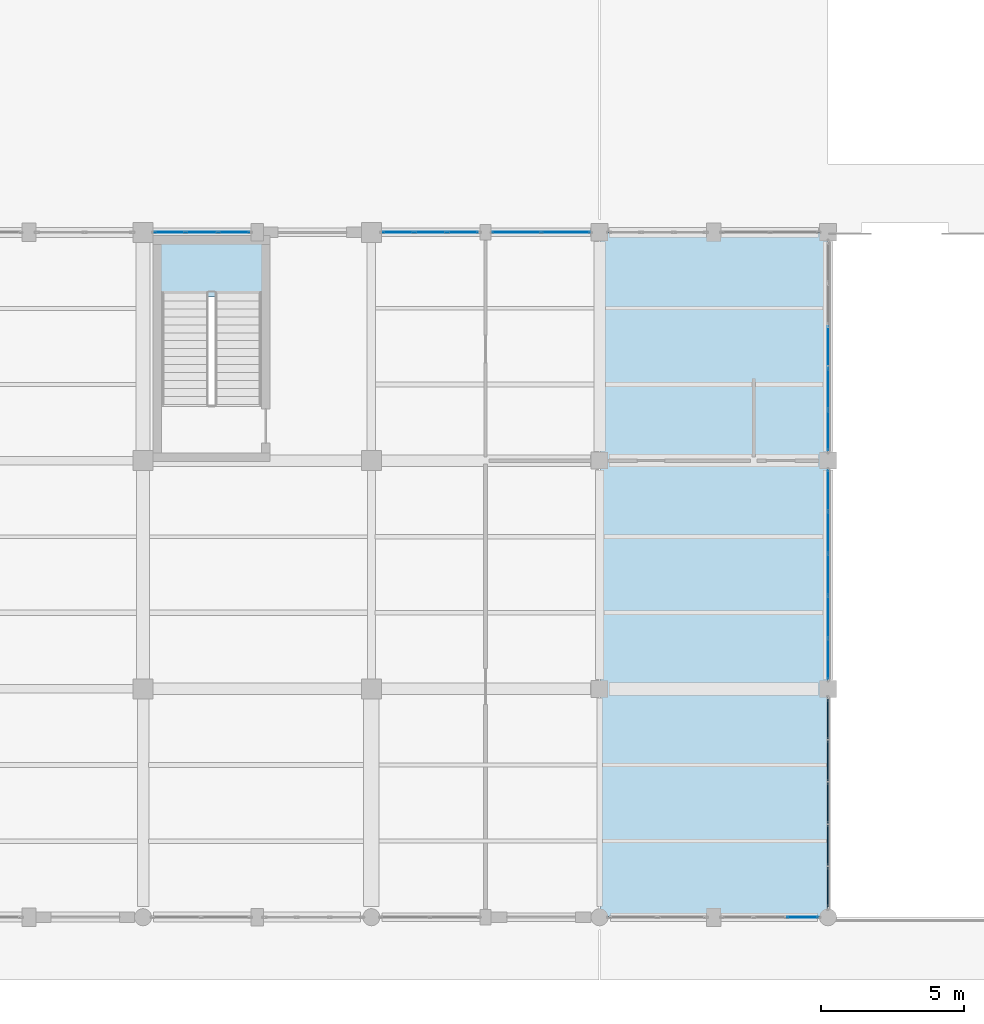
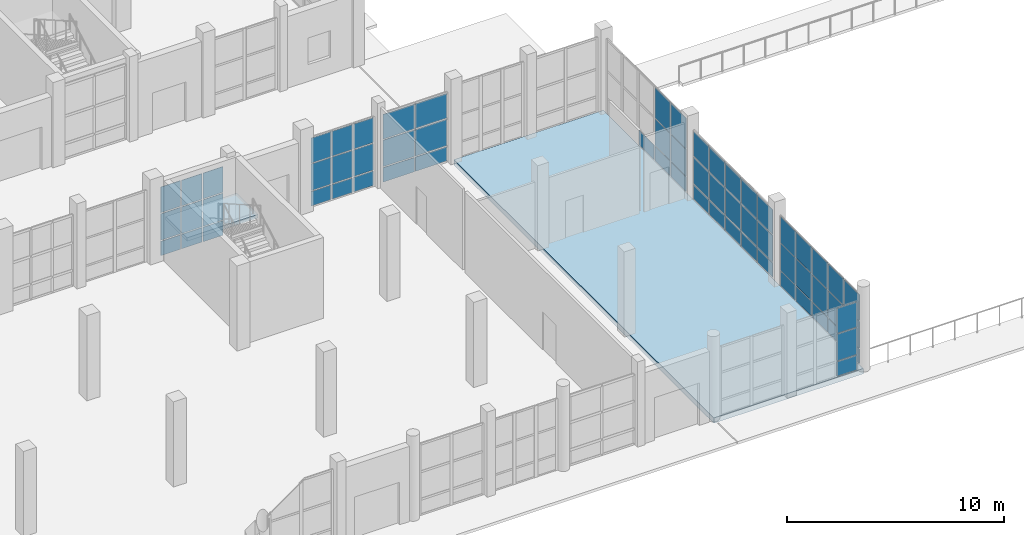
# One storey, part 106 of 156: 64 plates, 2 slabs, 8 elements without a shape of their own.
"""IFC4 building model written with IfcOpenShell, lengths in metres."""

import ifcopenshell
import ifcopenshell.guid

model = None  # the IFC model being written
_history = None  # IfcOwnerHistory: only IFC2X3 demands one
_inside = {}  # id of a spatial element -> (the spatial element, [elements in it])
_under = {}  # id of a project, library or spatial element -> (it, [spatial elements below it])
_declared = {}  # id of a project -> (the project, [libraries it declares])
_typed = {}  # id of a type object -> (the type object, [elements of that type])
_made_of = {}  # id of a material, layer set ... -> (it, [elements and type objects made of it])


def new_model(schema):
    """Start an empty IFC model of exactly this schema.

    Asked for "IFC4X3", IfcOpenShell would pick the latest addendum, in which some entities
    have other attributes; the version numbers below select the first issue.
    IFC2X3 requires an IfcOwnerHistory on every rooted entity: one is made here for all.
    """
    global model, _history
    if schema == "IFC4X3":
        model = ifcopenshell.file(schema_version=(4, 3, 0, 0))
    else:
        model = ifcopenshell.file(schema=schema)
    _inside.clear()
    _under.clear()
    _declared.clear()
    _typed.clear()
    _made_of.clear()
    _history = None
    if model.schema == "IFC2X3":
        org = make("IfcOrganization", Name="unknown")
        user = make(
            "IfcPersonAndOrganization",
            ThePerson=make("IfcPerson", FamilyName="unknown"),
            TheOrganization=org,
        )
        app = make(
            "IfcApplication",
            ApplicationDeveloper=org,
            Version="unknown",
            ApplicationFullName="unknown",
            ApplicationIdentifier="unknown",
        )
        _history = make(
            "IfcOwnerHistory",
            OwningUser=user,
            OwningApplication=app,
            ChangeAction="ADDED",
            CreationDate=0,
        )
    return model


def make(cls, **values):
    """One entity of the class cls with the attributes given. An attribute that is None is left unset."""
    return model.create_entity(
        cls, **{name: value for name, value in values.items() if value is not None}
    )


def rooted(cls, **values):
    """An entity with a GlobalId (a new one), such as an element, a storey or a relation."""
    return make(cls, GlobalId=ifcopenshell.guid.new(), OwnerHistory=_history, **values)


def si_unit(unit_type, name, prefix=None):
    """IfcSIUnit, for example si_unit("LENGTHUNIT", "METRE", prefix="MILLI")."""
    return make("IfcSIUnit", UnitType=unit_type, Prefix=prefix, Name=name)


def assignment(units):
    """IfcUnitAssignment: the units of a project."""
    return None if units is None else make("IfcUnitAssignment", Units=units)


def point(xyz):
    """IfcCartesianPoint."""
    return None if xyz is None else make("IfcCartesianPoint", Coordinates=xyz)


def direction(xyz):
    """IfcDirection."""
    return None if xyz is None else make("IfcDirection", DirectionRatios=xyz)


def frame(location, z_axis=None, x_axis=None):
    """IfcAxis2Placement3D, a coordinate frame: its origin and axes. An axis left out is left unset."""
    return make(
        "IfcAxis2Placement3D",
        Location=point(location),
        Axis=direction(z_axis),
        RefDirection=direction(x_axis),
    )


def frame_2d(location, x_axis=None):
    """IfcAxis2Placement2D, a coordinate frame in the plane: its origin and x axis."""
    return make(
        "IfcAxis2Placement2D", Location=point(location), RefDirection=direction(x_axis)
    )


def origin():
    """The frame at (0, 0, 0) with its axes left unset."""
    return frame((0.0, 0.0, 0.0))


def origin_2d():
    """The frame at (0, 0) in the plane with its x axis left unset."""
    return frame_2d((0.0, 0.0))


def place(relative_to, where):
    """IfcLocalPlacement: puts the frame where relative to a parent placement (None: the world)."""
    return make(
        "IfcLocalPlacement", PlacementRelTo=relative_to, RelativePlacement=where
    )


def context(
    kind, dimensions, precision=None, world=None, true_north=None, identifier=None
):
    """IfcGeometricRepresentationContext, for example the 3D "Model" context."""
    return make(
        "IfcGeometricRepresentationContext",
        ContextIdentifier=identifier,
        ContextType=kind,
        CoordinateSpaceDimension=dimensions,
        Precision=precision,
        WorldCoordinateSystem=world,
        TrueNorth=true_north,
    )


def subcontext(parent, identifier, kind, view, scale=None):
    """IfcGeometricRepresentationSubContext, for example "Body" below "Model"."""
    return make(
        "IfcGeometricRepresentationSubContext",
        ContextIdentifier=identifier,
        ContextType=kind,
        ParentContext=parent,
        TargetScale=scale,
        TargetView=view,
    )


def project(units=None, contexts=None):
    """IfcProject with its units and contexts."""
    return rooted(
        "IfcProject",
        Name="project",
        RepresentationContexts=contexts,
        UnitsInContext=assignment(units),
    )


def spatial(cls, under=None, at=None, **own):
    """A site, building, storey or space (cls), placed at a placement, below another one or the project."""
    s = rooted(cls, ObjectPlacement=at, **own)
    if under is not None:
        _under.setdefault(under.id(), (under, []))[1].append(s)
    return s


def polyline(points):
    """IfcPolyline through the points."""
    return make("IfcPolyline", Points=[point(p) for p in points])


def profile(cls, at=None, kind="AREA", **sizes):
    """A parametric profile (cls). Its sizes go by their IFC names, for example OverallWidth=200.0."""
    return make(cls, ProfileType=kind, Position=at, **sizes)


def rectangle(**sizes):
    """IfcRectangleProfileDef."""
    return profile("IfcRectangleProfileDef", **sizes)


def outline(outer, holes=None, kind="AREA"):
    """IfcArbitraryClosedProfileDef: a profile drawn as a closed curve; with holes, ...WithVoids."""
    if holes is None:
        return make("IfcArbitraryClosedProfileDef", ProfileType=kind, OuterCurve=outer)
    return make(
        "IfcArbitraryProfileDefWithVoids",
        ProfileType=kind,
        OuterCurve=outer,
        InnerCurves=holes,
    )


def extrude(swept, where, along, depth):
    """IfcExtrudedAreaSolid: the profile swept, set in the frame where, extruded along a direction by depth."""
    return make(
        "IfcExtrudedAreaSolid",
        SweptArea=swept,
        Position=where,
        ExtrudedDirection=direction(along),
        Depth=depth,
    )


def shape(context_of_items, identifier, shape_type, items):
    """IfcShapeRepresentation: the items that make up one representation, for example the "Body"."""
    return make(
        "IfcShapeRepresentation",
        ContextOfItems=context_of_items,
        RepresentationIdentifier=identifier,
        RepresentationType=shape_type,
        Items=items,
    )


def material(Name=None, Category=None):
    """IfcMaterial."""
    return make("IfcMaterial", Name=Name, Category=Category)


def layer(
    of_material, thickness, ventilated=None, Name=None, Category=None, Priority=None
):
    """IfcMaterialLayer: one layer of a wall or slab, of a material (None: an air gap)."""
    return make(
        "IfcMaterialLayer",
        Material=of_material,
        LayerThickness=thickness,
        IsVentilated=ventilated,
        Name=Name,
        Category=Category,
        Priority=Priority,
    )


def layer_set(layers, Name=None):
    """IfcMaterialLayerSet."""
    return make("IfcMaterialLayerSet", MaterialLayers=layers, LayerSetName=Name)


def made_of(thing, what):
    """Note that an element or type object is made of a material, layer set ...; save() writes the relation."""
    if what is not None:
        _made_of.setdefault(what.id(), (what, []))[1].append(thing)
    return thing


def type_object(cls, material=None, **own):
    """A type object (cls), such as IfcWallType, which elements share."""
    return made_of(rooted(cls, **own), material)


def element(
    cls,
    number,
    at=None,
    inside=None,
    cuts=None,
    type_object=None,
    material=None,
    context=None,
    identifier="Body",
    shape_type=None,
    held_by="IfcProductDefinitionShape",
    body=None,
    shapes=None,
    **own,
):
    """One element of the class cls, such as IfcWall. Its Tag is "e" and its number.

    at: its placement. inside: the storey or other place that contains it. cuts: it is an
    opening in that element (IfcRelVoidsElement). A single representation is given by context,
    identifier, shape_type and body (its items); several are given by shapes. held_by: the class
    of the entity that holds the representations. save() writes the other relations.
    """
    e = rooted(cls, Tag="e%d" % number, ObjectPlacement=at, **own)
    if body is not None:
        shapes = [shape(context, identifier, shape_type, body)]
    if shapes is not None:
        e.Representation = make(held_by, Representations=shapes)
    if inside is not None:
        _inside.setdefault(inside.id(), (inside, []))[1].append(e)
    if cuts is not None:
        rooted(
            "IfcRelVoidsElement", RelatingBuildingElement=cuts, RelatedOpeningElement=e
        )
    if type_object is not None:
        _typed.setdefault(type_object.id(), (type_object, []))[1].append(e)
    return made_of(e, material)


def aggregate(whole, parts):
    """IfcRelAggregates: a whole, such as a stair, and the parts it consists of."""
    return rooted("IfcRelAggregates", RelatingObject=whole, RelatedObjects=parts)


def save(model, path):
    """Write the relations noted so far, then the file.

    IfcRelAggregates (storeys below a building ...), IfcRelContainedInSpatialStructure (elements
    in a storey), IfcRelDefinesByType, IfcRelAssociatesMaterial and IfcRelDeclares: one each for
    every whole, place, type object, material and project.
    """
    for whole, parts in _under.values():
        aggregate(whole, parts)
    for where, things in _inside.values():
        rooted(
            "IfcRelContainedInSpatialStructure",
            RelatedElements=things,
            RelatingStructure=where,
        )
    for kind, things in _typed.values():
        rooted("IfcRelDefinesByType", RelatedObjects=things, RelatingType=kind)
    for what, things in _made_of.values():
        rooted("IfcRelAssociatesMaterial", RelatedObjects=things, RelatingMaterial=what)
    for by, libraries in _declared.values():
        rooted("IfcRelDeclares", RelatingContext=by, RelatedDefinitions=libraries)
    model.write(path)


model = new_model("IFC4")

# Units and contexts
model_context = context("Model", 3, precision=1e-05, world=origin(), true_north=direction((0.0, 1.0)))
body_context = subcontext(model_context, "Body", "Model", "MODEL_VIEW")
ifc_project = project(units=[si_unit("LENGTHUNIT", "METRE"), si_unit("AREAUNIT", "SQUARE_METRE"), si_unit("VOLUMEUNIT", "CUBIC_METRE"), si_unit("PLANEANGLEUNIT", "RADIAN"), si_unit("MASSUNIT", "GRAM", prefix="KILO")], contexts=[model_context])

# Site, building, storey
site_placement = place(None, origin())
site = spatial("IfcSite", under=ifc_project, at=site_placement, CompositionType="ELEMENT")
building_placement = place(site_placement, origin())
building = spatial("IfcBuilding", under=site, at=building_placement, Name="Luwemba Playhouse", CompositionType="ELEMENT")
storey_placement = place(building_placement, origin())
storey = spatial("IfcBuildingStorey", under=building, at=storey_placement, Name="L00", CompositionType="ELEMENT", Elevation=0.0)

# Curtain wall, plates
ifc_material_1 = material(Name="Solar-control double glazing", Category="glass")
curtain_wall_type_1 = type_object("IfcCurtainWallType", Name="CW-CW32", PredefinedType="USERDEFINED", material=ifc_material_1)
curtain_wall_1_placement = place(storey_placement, origin())
curtain_wall_1 = element("IfcCurtainWall", 1, at=curtain_wall_1_placement, inside=storey, type_object=curtain_wall_type_1, Name="L00 V5W unitised curtain wall 035", ObjectType="UNITISED GLAZING", PredefinedType="USERDEFINED")
ifc_layer_1 = layer(ifc_material_1, 0.02392578125)
ifc_layer_set_1 = layer_set([ifc_layer_1], Name="Solar-control double glazing")
plate_type_1 = type_object("IfcPlateType", Name="CWP-P1", PredefinedType="CURTAIN_PANEL", material=ifc_layer_set_1)
plate_1_placement = place(storey_placement, frame((36.935791015625, 27.0, 0.06005859375), z_axis=(0.0, 0.0, 1.0), x_axis=(1.0, 0.0, 0.0)))
plate_1 = element("IfcPlate", 2, at=plate_1_placement, type_object=plate_type_1, Name="CW32 panel 1.1", PredefinedType="CURTAIN_PANEL", context=body_context, shape_type="SweptSolid", body=[
    extrude(rectangle(XDim=1.0517578125, YDim=0.02392578125, at=origin_2d()), origin(), (0.0, 0.0, 1.0), 0.81005859375),
])
plate_2_placement = place(storey_placement, frame((36.935791015625, 27.0, 0.93017578125), z_axis=(0.0, 0.0, 1.0), x_axis=(1.0, 0.0, 0.0)))
plate_2 = element("IfcPlate", 3, at=plate_2_placement, type_object=plate_type_1, Name="CW32 panel 1.2", PredefinedType="CURTAIN_PANEL", context=body_context, shape_type="SweptSolid", body=[
    extrude(rectangle(XDim=1.0517578125, YDim=0.02392578125, at=origin_2d()), origin(), (0.0, 0.0, 1.0), 1.489990234375),
])
plate_3_placement = place(storey_placement, frame((36.935791015625, 27.0, 2.47998046875), z_axis=(0.0, 0.0, 1.0), x_axis=(1.0, 0.0, 0.0)))
plate_3 = element("IfcPlate", 4, at=plate_3_placement, type_object=plate_type_1, Name="CW32 panel 1.3", PredefinedType="CURTAIN_PANEL", context=body_context, shape_type="SweptSolid", body=[
    extrude(rectangle(XDim=1.0517578125, YDim=0.02392578125, at=origin_2d()), origin(), (0.0, 0.0, 1.0), 1.445068359375),
])
plate_4_placement = place(storey_placement, frame((38.0625, 27.0, 0.06005859375), z_axis=(0.0, 0.0, 1.0), x_axis=(1.0, 0.0, 0.0)))
plate_4 = element("IfcPlate", 5, at=plate_4_placement, type_object=plate_type_1, Name="CW32 panel 2.1", PredefinedType="CURTAIN_PANEL", context=body_context, shape_type="SweptSolid", body=[
    extrude(rectangle(XDim=1.081787109375, YDim=0.02392578125, at=origin_2d()), origin(), (0.0, 0.0, 1.0), 0.81005859375),
])
plate_5_placement = place(storey_placement, frame((38.0625, 27.0, 0.93017578125), z_axis=(0.0, 0.0, 1.0), x_axis=(1.0, 0.0, 0.0)))
plate_5 = element("IfcPlate", 6, at=plate_5_placement, type_object=plate_type_1, Name="CW32 panel 2.2", PredefinedType="CURTAIN_PANEL", context=body_context, shape_type="SweptSolid", body=[
    extrude(rectangle(XDim=1.081787109375, YDim=0.02392578125, at=origin_2d()), origin(), (0.0, 0.0, 1.0), 1.489990234375),
])
plate_6_placement = place(storey_placement, frame((38.0625, 27.0, 2.47998046875), z_axis=(0.0, 0.0, 1.0), x_axis=(1.0, 0.0, 0.0)))
plate_6 = element("IfcPlate", 7, at=plate_6_placement, type_object=plate_type_1, Name="CW32 panel 2.3", PredefinedType="CURTAIN_PANEL", context=body_context, shape_type="SweptSolid", body=[
    extrude(rectangle(XDim=1.081787109375, YDim=0.02392578125, at=origin_2d()), origin(), (0.0, 0.0, 1.0), 1.445068359375),
])
plate_7_placement = place(storey_placement, frame((39.189208984375, 27.0, 0.06005859375), z_axis=(0.0, 0.0, 1.0), x_axis=(1.0, 0.0, 0.0)))
plate_7 = element("IfcPlate", 8, at=plate_7_placement, type_object=plate_type_1, Name="CW32 panel 3.1", PredefinedType="CURTAIN_PANEL", context=body_context, shape_type="SweptSolid", body=[
    extrude(rectangle(XDim=1.0517578125, YDim=0.02392578125, at=origin_2d()), origin(), (0.0, 0.0, 1.0), 0.81005859375),
])
plate_8_placement = place(storey_placement, frame((39.189208984375, 27.0, 0.93017578125), z_axis=(0.0, 0.0, 1.0), x_axis=(1.0, 0.0, 0.0)))
plate_8 = element("IfcPlate", 9, at=plate_8_placement, type_object=plate_type_1, Name="CW32 panel 3.2", PredefinedType="CURTAIN_PANEL", context=body_context, shape_type="SweptSolid", body=[
    extrude(rectangle(XDim=1.0517578125, YDim=0.02392578125, at=origin_2d()), origin(), (0.0, 0.0, 1.0), 1.489990234375),
])
plate_9_placement = place(storey_placement, frame((39.189208984375, 27.0, 2.47998046875), z_axis=(0.0, 0.0, 1.0), x_axis=(1.0, 0.0, 0.0)))
plate_9 = element("IfcPlate", 10, at=plate_9_placement, type_object=plate_type_1, Name="CW32 panel 3.3", PredefinedType="CURTAIN_PANEL", context=body_context, shape_type="SweptSolid", body=[
    extrude(rectangle(XDim=1.0517578125, YDim=0.02392578125, at=origin_2d()), origin(), (0.0, 0.0, 1.0), 1.445068359375),
])
aggregate(curtain_wall_1, [plate_1, plate_2, plate_3, plate_4, plate_5, plate_6, plate_7, plate_8, plate_9])

curtain_wall_type_2 = type_object("IfcCurtainWallType", Name="CW-CW39", PredefinedType="USERDEFINED", material=ifc_material_1)
curtain_wall_2_placement = place(storey_placement, origin())
curtain_wall_2 = element("IfcCurtainWall", 11, at=curtain_wall_2_placement, inside=storey, type_object=curtain_wall_type_2, Name="L00 V5W unitised curtain wall 043", ObjectType="UNITISED GLAZING", PredefinedType="USERDEFINED")
plate_10_placement = place(storey_placement, frame((59.110107421875, 3.0, 0.06005859375), z_axis=(0.0, 0.0, 1.0), x_axis=(-1.0, 0.0, 0.0)))
plate_10 = element("IfcPlate", 12, at=plate_10_placement, type_object=plate_type_1, Name="CW39 panel 1.1", PredefinedType="CURTAIN_PANEL", context=body_context, shape_type="SweptSolid", body=[
    extrude(rectangle(XDim=1.06005859375, YDim=0.02392578125, at=origin_2d()), origin(), (0.0, 0.0, 1.0), 0.81005859375),
])
plate_11_placement = place(storey_placement, frame((59.110107421875, 3.0, 0.93017578125), z_axis=(0.0, 0.0, 1.0), x_axis=(-1.0, 0.0, 0.0)))
plate_11 = element("IfcPlate", 13, at=plate_11_placement, type_object=plate_type_1, Name="CW39 panel 1.2", PredefinedType="CURTAIN_PANEL", context=body_context, shape_type="SweptSolid", body=[
    extrude(rectangle(XDim=1.06005859375, YDim=0.02392578125, at=origin_2d()), origin(), (0.0, 0.0, 1.0), 1.489990234375),
])
plate_12_placement = place(storey_placement, frame((59.110107421875, 3.0, 2.47998046875), z_axis=(0.0, 0.0, 1.0), x_axis=(-1.0, 0.0, 0.0)))
plate_12 = element("IfcPlate", 14, at=plate_12_placement, type_object=plate_type_1, Name="CW39 panel 1.3", PredefinedType="CURTAIN_PANEL", context=body_context, shape_type="SweptSolid", body=[
    extrude(rectangle(XDim=1.06005859375, YDim=0.02392578125, at=origin_2d()), origin(), (0.0, 0.0, 1.0), 1.39501953125),
])
aggregate(curtain_wall_2, [plate_10, plate_11, plate_12])

curtain_wall_type_3 = type_object("IfcCurtainWallType", Name="CW-CW33", PredefinedType="USERDEFINED", material=ifc_material_1)
curtain_wall_3_placement = place(storey_placement, origin())
curtain_wall_3 = element("IfcCurtainWall", 15, at=curtain_wall_3_placement, inside=storey, type_object=curtain_wall_type_3, Name="L00 V5W unitised curtain wall 036", ObjectType="UNITISED GLAZING", PredefinedType="USERDEFINED")
ifc_layer_2 = layer(ifc_material_1, 0.028076171875)
ifc_layer_set_2 = layer_set([ifc_layer_2], Name="Solar-control double glazing")
plate_type_2 = type_object("IfcPlateType", Name="CWP-P2", PredefinedType="CURTAIN_PANEL", material=ifc_layer_set_2)
plate_13_placement = place(storey_placement, frame((44.941162109375, 27.0, 0.05517578125), z_axis=(0.0, 0.0, 1.0), x_axis=(1.0, 0.0, 0.0)))
plate_13 = element("IfcPlate", 16, at=plate_13_placement, type_object=plate_type_2, Name="CW33 panel 1.1", PredefinedType="CURTAIN_PANEL", context=body_context, shape_type="SweptSolid", body=[
    extrude(rectangle(XDim=1.052490234375, YDim=0.028076171875, at=origin_2d()), origin(), (0.0, 0.0, 1.0), 0.8173828125),
])
plate_14_placement = place(storey_placement, frame((44.941162109375, 27.0, 0.927490234375), z_axis=(0.0, 0.0, 1.0), x_axis=(1.0, 0.0, 0.0)))
plate_14 = element("IfcPlate", 17, at=plate_14_placement, type_object=plate_type_2, Name="CW33 panel 1.2", PredefinedType="CURTAIN_PANEL", context=body_context, shape_type="SweptSolid", body=[
    extrude(rectangle(XDim=1.052490234375, YDim=0.028076171875, at=origin_2d()), origin(), (0.0, 0.0, 1.0), 1.4951171875),
])
plate_15_placement = place(storey_placement, frame((44.941162109375, 27.0, 2.4775390625), z_axis=(0.0, 0.0, 1.0), x_axis=(1.0, 0.0, 0.0)))
plate_15 = element("IfcPlate", 18, at=plate_15_placement, type_object=plate_type_2, Name="CW33 panel 1.3", PredefinedType="CURTAIN_PANEL", context=body_context, shape_type="SweptSolid", body=[
    extrude(rectangle(XDim=1.052490234375, YDim=0.028076171875, at=origin_2d()), origin(), (0.0, 0.0, 1.0), 1.402587890625),
])
plate_16_placement = place(storey_placement, frame((46.074951171875, 27.0, 0.05517578125), z_axis=(0.0, 0.0, 1.0), x_axis=(1.0, 0.0, 0.0)))
plate_16 = element("IfcPlate", 19, at=plate_16_placement, type_object=plate_type_2, Name="CW33 panel 2.1", PredefinedType="CURTAIN_PANEL", context=body_context, shape_type="SweptSolid", body=[
    extrude(rectangle(XDim=1.0849609375, YDim=0.028076171875, at=origin_2d()), origin(), (0.0, 0.0, 1.0), 0.8173828125),
])
plate_17_placement = place(storey_placement, frame((46.074951171875, 27.0, 0.927490234375), z_axis=(0.0, 0.0, 1.0), x_axis=(1.0, 0.0, 0.0)))
plate_17 = element("IfcPlate", 20, at=plate_17_placement, type_object=plate_type_2, Name="CW33 panel 2.2", PredefinedType="CURTAIN_PANEL", context=body_context, shape_type="SweptSolid", body=[
    extrude(rectangle(XDim=1.0849609375, YDim=0.028076171875, at=origin_2d()), origin(), (0.0, 0.0, 1.0), 1.4951171875),
])
plate_18_placement = place(storey_placement, frame((46.074951171875, 27.0, 2.4775390625), z_axis=(0.0, 0.0, 1.0), x_axis=(1.0, 0.0, 0.0)))
plate_18 = element("IfcPlate", 21, at=plate_18_placement, type_object=plate_type_2, Name="CW33 panel 2.3", PredefinedType="CURTAIN_PANEL", context=body_context, shape_type="SweptSolid", body=[
    extrude(rectangle(XDim=1.0849609375, YDim=0.028076171875, at=origin_2d()), origin(), (0.0, 0.0, 1.0), 1.402587890625),
])
plate_19_placement = place(storey_placement, frame((47.208740234375, 27.0, 0.05517578125), z_axis=(0.0, 0.0, 1.0), x_axis=(1.0, 0.0, 0.0)))
plate_19 = element("IfcPlate", 22, at=plate_19_placement, type_object=plate_type_2, Name="CW33 panel 3.1", PredefinedType="CURTAIN_PANEL", context=body_context, shape_type="SweptSolid", body=[
    extrude(rectangle(XDim=1.052490234375, YDim=0.028076171875, at=origin_2d()), origin(), (0.0, 0.0, 1.0), 0.8173828125),
])
plate_20_placement = place(storey_placement, frame((47.208740234375, 27.0, 0.927490234375), z_axis=(0.0, 0.0, 1.0), x_axis=(1.0, 0.0, 0.0)))
plate_20 = element("IfcPlate", 23, at=plate_20_placement, type_object=plate_type_2, Name="CW33 panel 3.2", PredefinedType="CURTAIN_PANEL", context=body_context, shape_type="SweptSolid", body=[
    extrude(rectangle(XDim=1.052490234375, YDim=0.028076171875, at=origin_2d()), origin(), (0.0, 0.0, 1.0), 1.4951171875),
])
plate_21_placement = place(storey_placement, frame((47.208740234375, 27.0, 2.4775390625), z_axis=(0.0, 0.0, 1.0), x_axis=(1.0, 0.0, 0.0)))
plate_21 = element("IfcPlate", 24, at=plate_21_placement, type_object=plate_type_2, Name="CW33 panel 3.3", PredefinedType="CURTAIN_PANEL", context=body_context, shape_type="SweptSolid", body=[
    extrude(rectangle(XDim=1.052490234375, YDim=0.028076171875, at=origin_2d()), origin(), (0.0, 0.0, 1.0), 1.402587890625),
])
aggregate(curtain_wall_3, [plate_13, plate_14, plate_15, plate_16, plate_17, plate_18, plate_19, plate_20, plate_21])

curtain_wall_type_4 = type_object("IfcCurtainWallType", Name="CW-CW36", PredefinedType="USERDEFINED", material=ifc_material_1)
curtain_wall_4_placement = place(storey_placement, origin())
curtain_wall_4 = element("IfcCurtainWall", 25, at=curtain_wall_4_placement, inside=storey, type_object=curtain_wall_type_4, Name="L00 V5W unitised curtain wall 040", ObjectType="UNITISED GLAZING", PredefinedType="USERDEFINED")
plate_22_placement = place(storey_placement, frame((60.0, 23.0, 0.05517578125), z_axis=(0.0, 0.0, 1.0), x_axis=(0.0, -1.0, 0.0)))
plate_22 = element("IfcPlate", 26, at=plate_22_placement, type_object=plate_type_2, Name="CW36 panel 3.1", PredefinedType="CURTAIN_PANEL", context=body_context, shape_type="SweptSolid", body=[
    extrude(rectangle(XDim=1.4150390625, YDim=0.028076171875, at=origin_2d()), origin(), (0.0, 0.0, 1.0), 0.8173828125),
])
plate_23_placement = place(storey_placement, frame((60.0, 21.52001953125, 0.05517578125), z_axis=(0.0, 0.0, 1.0), x_axis=(0.0, -1.0, 0.0)))
plate_23 = element("IfcPlate", 27, at=plate_23_placement, type_object=plate_type_2, Name="CW36 panel 4.1", PredefinedType="CURTAIN_PANEL", context=body_context, shape_type="SweptSolid", body=[
    extrude(rectangle(XDim=1.4150390625, YDim=0.028076171875, at=origin_2d()), origin(), (0.0, 0.0, 1.0), 0.8173828125),
])
plate_24_placement = place(storey_placement, frame((60.0, 21.52001953125, 0.927490234375), z_axis=(0.0, 0.0, 1.0), x_axis=(0.0, -1.0, 0.0)))
plate_24 = element("IfcPlate", 28, at=plate_24_placement, type_object=plate_type_2, Name="CW36 panel 4.2", PredefinedType="CURTAIN_PANEL", context=body_context, shape_type="SweptSolid", body=[
    extrude(rectangle(XDim=1.4150390625, YDim=0.028076171875, at=origin_2d()), origin(), (0.0, 0.0, 1.0), 1.4951171875),
])
plate_25_placement = place(storey_placement, frame((60.0, 21.52001953125, 2.4775390625), z_axis=(0.0, 0.0, 1.0), x_axis=(0.0, -1.0, 0.0)))
plate_25 = element("IfcPlate", 29, at=plate_25_placement, type_object=plate_type_2, Name="CW36 panel 4.3", PredefinedType="CURTAIN_PANEL", context=body_context, shape_type="SweptSolid", body=[
    extrude(rectangle(XDim=1.4150390625, YDim=0.028076171875, at=origin_2d()), origin(), (0.0, 0.0, 1.0), 1.702392578125),
])
plate_26_placement = place(storey_placement, frame((60.0, 20.05615234375, 0.05517578125), z_axis=(0.0, 0.0, 1.0), x_axis=(0.0, -1.0, 0.0)))
plate_26 = element("IfcPlate", 30, at=plate_26_placement, type_object=plate_type_2, Name="CW36 panel 5.1", PredefinedType="CURTAIN_PANEL", context=body_context, shape_type="SweptSolid", body=[
    extrude(rectangle(XDim=1.382568359375, YDim=0.028076171875, at=origin_2d()), origin(), (0.0, 0.0, 1.0), 0.8173828125),
])
plate_27_placement = place(storey_placement, frame((60.0, 20.05615234375, 0.927490234375), z_axis=(0.0, 0.0, 1.0), x_axis=(0.0, -1.0, 0.0)))
plate_27 = element("IfcPlate", 31, at=plate_27_placement, type_object=plate_type_2, Name="CW36 panel 5.2", PredefinedType="CURTAIN_PANEL", context=body_context, shape_type="SweptSolid", body=[
    extrude(rectangle(XDim=1.382568359375, YDim=0.028076171875, at=origin_2d()), origin(), (0.0, 0.0, 1.0), 1.4951171875),
])
plate_28_placement = place(storey_placement, frame((60.0, 20.05615234375, 2.4775390625), z_axis=(0.0, 0.0, 1.0), x_axis=(0.0, -1.0, 0.0)))
plate_28 = element("IfcPlate", 32, at=plate_28_placement, type_object=plate_type_2, Name="CW36 panel 5.3", PredefinedType="CURTAIN_PANEL", context=body_context, shape_type="SweptSolid", body=[
    extrude(rectangle(XDim=1.382568359375, YDim=0.028076171875, at=origin_2d()), origin(), (0.0, 0.0, 1.0), 1.702392578125),
])
aggregate(curtain_wall_4, [plate_22, plate_23, plate_24, plate_25, plate_26, plate_27, plate_28])

curtain_wall_type_5 = type_object("IfcCurtainWallType", Name="CW-CW34", PredefinedType="USERDEFINED", material=ifc_material_1)
curtain_wall_5_placement = place(storey_placement, origin())
curtain_wall_5 = element("IfcCurtainWall", 33, at=curtain_wall_5_placement, inside=storey, type_object=curtain_wall_type_5, Name="L00 V5W unitised curtain wall 037", ObjectType="UNITISED GLAZING", PredefinedType="USERDEFINED")
ifc_layer_3 = layer(ifc_material_1, 0.031982421875)
ifc_layer_set_3 = layer_set([ifc_layer_3], Name="Solar-control double glazing")
plate_type_3 = type_object("IfcPlateType", Name="CWP-P3", PredefinedType="CURTAIN_PANEL", material=ifc_layer_set_3)
plate_29_placement = place(storey_placement, frame((49.0888671875, 27.0, 0.06494140625), z_axis=(0.0, 0.0, 1.0), x_axis=(1.0, 0.0, 0.0)))
plate_29 = element("IfcPlate", 34, at=plate_29_placement, type_object=plate_type_3, Name="CW34 panel 1.1", PredefinedType="CURTAIN_PANEL", context=body_context, shape_type="SweptSolid", body=[
    extrude(rectangle(XDim=1.66748046875, YDim=0.031982421875, at=origin_2d()), origin(), (0.0, 0.0, 1.0), 0.802490234375),
])
plate_30_placement = place(storey_placement, frame((49.0888671875, 27.0, 0.9326171875), z_axis=(0.0, 0.0, 1.0), x_axis=(1.0, 0.0, 0.0)))
plate_30 = element("IfcPlate", 35, at=plate_30_placement, type_object=plate_type_3, Name="CW34 panel 1.2", PredefinedType="CURTAIN_PANEL", context=body_context, shape_type="SweptSolid", body=[
    extrude(rectangle(XDim=1.66748046875, YDim=0.031982421875, at=origin_2d()), origin(), (0.0, 0.0, 1.0), 1.485107421875),
])
plate_31_placement = place(storey_placement, frame((49.0888671875, 27.0, 2.482421875), z_axis=(0.0, 0.0, 1.0), x_axis=(1.0, 0.0, 0.0)))
plate_31 = element("IfcPlate", 36, at=plate_31_placement, type_object=plate_type_3, Name="CW34 panel 1.3", PredefinedType="CURTAIN_PANEL", context=body_context, shape_type="SweptSolid", body=[
    extrude(rectangle(XDim=1.66748046875, YDim=0.031982421875, at=origin_2d()), origin(), (0.0, 0.0, 1.0), 1.387451171875),
])
plate_32_placement = place(storey_placement, frame((50.811279296875, 27.0, 0.06494140625), z_axis=(0.0, 0.0, 1.0), x_axis=(1.0, 0.0, 0.0)))
plate_32 = element("IfcPlate", 37, at=plate_32_placement, type_object=plate_type_3, Name="CW34 panel 2.1", PredefinedType="CURTAIN_PANEL", context=body_context, shape_type="SweptSolid", body=[
    extrude(rectangle(XDim=1.66748046875, YDim=0.031982421875, at=origin_2d()), origin(), (0.0, 0.0, 1.0), 0.802490234375),
])
plate_33_placement = place(storey_placement, frame((50.811279296875, 27.0, 0.9326171875), z_axis=(0.0, 0.0, 1.0), x_axis=(1.0, 0.0, 0.0)))
plate_33 = element("IfcPlate", 38, at=plate_33_placement, type_object=plate_type_3, Name="CW34 panel 2.2", PredefinedType="CURTAIN_PANEL", context=body_context, shape_type="SweptSolid", body=[
    extrude(rectangle(XDim=1.66748046875, YDim=0.031982421875, at=origin_2d()), origin(), (0.0, 0.0, 1.0), 1.485107421875),
])
plate_34_placement = place(storey_placement, frame((50.811279296875, 27.0, 2.482421875), z_axis=(0.0, 0.0, 1.0), x_axis=(1.0, 0.0, 0.0)))
plate_34 = element("IfcPlate", 39, at=plate_34_placement, type_object=plate_type_3, Name="CW34 panel 2.3", PredefinedType="CURTAIN_PANEL", context=body_context, shape_type="SweptSolid", body=[
    extrude(rectangle(XDim=1.66748046875, YDim=0.031982421875, at=origin_2d()), origin(), (0.0, 0.0, 1.0), 1.387451171875),
])
aggregate(curtain_wall_5, [plate_29, plate_30, plate_31, plate_32, plate_33, plate_34])

curtain_wall_type_6 = type_object("IfcCurtainWallType", Name="CW-CW37", PredefinedType="USERDEFINED", material=ifc_material_1)
curtain_wall_6_placement = place(storey_placement, origin())
curtain_wall_6 = element("IfcCurtainWall", 40, at=curtain_wall_6_placement, inside=storey, type_object=curtain_wall_type_6, Name="L00 V5W unitised curtain wall 041", ObjectType="UNITISED GLAZING", PredefinedType="USERDEFINED")
plate_35_placement = place(storey_placement, frame((60.0, 17.9462890625, 0.06494140625), z_axis=(0.0, 0.0, 1.0), x_axis=(0.0, -1.0, 0.0)))
plate_35 = element("IfcPlate", 41, at=plate_35_placement, type_object=plate_type_3, Name="CW37 panel 1.1", PredefinedType="CURTAIN_PANEL", context=body_context, shape_type="SweptSolid", body=[
    extrude(rectangle(XDim=1.3974609375, YDim=0.031982421875, at=origin_2d()), origin(), (0.0, 0.0, 1.0), 0.802490234375),
])
plate_36_placement = place(storey_placement, frame((60.0, 17.9462890625, 0.9326171875), z_axis=(0.0, 0.0, 1.0), x_axis=(0.0, -1.0, 0.0)))
plate_36 = element("IfcPlate", 42, at=plate_36_placement, type_object=plate_type_3, Name="CW37 panel 1.2", PredefinedType="CURTAIN_PANEL", context=body_context, shape_type="SweptSolid", body=[
    extrude(rectangle(XDim=1.3974609375, YDim=0.031982421875, at=origin_2d()), origin(), (0.0, 0.0, 1.0), 1.485107421875),
])
plate_37_placement = place(storey_placement, frame((60.0, 17.9462890625, 2.482421875), z_axis=(0.0, 0.0, 1.0), x_axis=(0.0, -1.0, 0.0)))
plate_37 = element("IfcPlate", 43, at=plate_37_placement, type_object=plate_type_3, Name="CW37 panel 1.3", PredefinedType="CURTAIN_PANEL", context=body_context, shape_type="SweptSolid", body=[
    extrude(rectangle(XDim=1.3974609375, YDim=0.031982421875, at=origin_2d()), origin(), (0.0, 0.0, 1.0), 1.387451171875),
])
plate_38_placement = place(storey_placement, frame((60.0, 16.47998046875, 0.06494140625), z_axis=(0.0, 0.0, 1.0), x_axis=(0.0, -1.0, 0.0)))
plate_38 = element("IfcPlate", 44, at=plate_38_placement, type_object=plate_type_3, Name="CW37 panel 2.1", PredefinedType="CURTAIN_PANEL", context=body_context, shape_type="SweptSolid", body=[
    extrude(rectangle(XDim=1.425048828125, YDim=0.031982421875, at=origin_2d()), origin(), (0.0, 0.0, 1.0), 0.802490234375),
])
plate_39_placement = place(storey_placement, frame((60.0, 16.47998046875, 0.9326171875), z_axis=(0.0, 0.0, 1.0), x_axis=(0.0, -1.0, 0.0)))
plate_39 = element("IfcPlate", 45, at=plate_39_placement, type_object=plate_type_3, Name="CW37 panel 2.2", PredefinedType="CURTAIN_PANEL", context=body_context, shape_type="SweptSolid", body=[
    extrude(rectangle(XDim=1.425048828125, YDim=0.031982421875, at=origin_2d()), origin(), (0.0, 0.0, 1.0), 1.485107421875),
])
plate_40_placement = place(storey_placement, frame((60.0, 16.47998046875, 2.482421875), z_axis=(0.0, 0.0, 1.0), x_axis=(0.0, -1.0, 0.0)))
plate_40 = element("IfcPlate", 46, at=plate_40_placement, type_object=plate_type_3, Name="CW37 panel 2.3", PredefinedType="CURTAIN_PANEL", context=body_context, shape_type="SweptSolid", body=[
    extrude(rectangle(XDim=1.425048828125, YDim=0.031982421875, at=origin_2d()), origin(), (0.0, 0.0, 1.0), 1.387451171875),
])
plate_41_placement = place(storey_placement, frame((60.0, 15.0, 0.06494140625), z_axis=(0.0, 0.0, 1.0), x_axis=(0.0, -1.0, 0.0)))
plate_41 = element("IfcPlate", 47, at=plate_41_placement, type_object=plate_type_3, Name="CW37 panel 3.1", PredefinedType="CURTAIN_PANEL", context=body_context, shape_type="SweptSolid", body=[
    extrude(rectangle(XDim=1.425048828125, YDim=0.031982421875, at=origin_2d()), origin(), (0.0, 0.0, 1.0), 0.802490234375),
])
plate_42_placement = place(storey_placement, frame((60.0, 15.0, 0.9326171875), z_axis=(0.0, 0.0, 1.0), x_axis=(0.0, -1.0, 0.0)))
plate_42 = element("IfcPlate", 48, at=plate_42_placement, type_object=plate_type_3, Name="CW37 panel 3.2", PredefinedType="CURTAIN_PANEL", context=body_context, shape_type="SweptSolid", body=[
    extrude(rectangle(XDim=1.425048828125, YDim=0.031982421875, at=origin_2d()), origin(), (0.0, 0.0, 1.0), 1.485107421875),
])
plate_43_placement = place(storey_placement, frame((60.0, 15.0, 2.482421875), z_axis=(0.0, 0.0, 1.0), x_axis=(0.0, -1.0, 0.0)))
plate_43 = element("IfcPlate", 49, at=plate_43_placement, type_object=plate_type_3, Name="CW37 panel 3.3", PredefinedType="CURTAIN_PANEL", context=body_context, shape_type="SweptSolid", body=[
    extrude(rectangle(XDim=1.425048828125, YDim=0.031982421875, at=origin_2d()), origin(), (0.0, 0.0, 1.0), 1.387451171875),
])
plate_44_placement = place(storey_placement, frame((60.0, 13.52001953125, 0.06494140625), z_axis=(0.0, 0.0, 1.0), x_axis=(0.0, -1.0, 0.0)))
plate_44 = element("IfcPlate", 50, at=plate_44_placement, type_object=plate_type_3, Name="CW37 panel 4.1", PredefinedType="CURTAIN_PANEL", context=body_context, shape_type="SweptSolid", body=[
    extrude(rectangle(XDim=1.425048828125, YDim=0.031982421875, at=origin_2d()), origin(), (0.0, 0.0, 1.0), 0.802490234375),
])
plate_45_placement = place(storey_placement, frame((60.0, 13.52001953125, 0.9326171875), z_axis=(0.0, 0.0, 1.0), x_axis=(0.0, -1.0, 0.0)))
plate_45 = element("IfcPlate", 51, at=plate_45_placement, type_object=plate_type_3, Name="CW37 panel 4.2", PredefinedType="CURTAIN_PANEL", context=body_context, shape_type="SweptSolid", body=[
    extrude(rectangle(XDim=1.425048828125, YDim=0.031982421875, at=origin_2d()), origin(), (0.0, 0.0, 1.0), 1.485107421875),
])
plate_46_placement = place(storey_placement, frame((60.0, 13.52001953125, 2.482421875), z_axis=(0.0, 0.0, 1.0), x_axis=(0.0, -1.0, 0.0)))
plate_46 = element("IfcPlate", 52, at=plate_46_placement, type_object=plate_type_3, Name="CW37 panel 4.3", PredefinedType="CURTAIN_PANEL", context=body_context, shape_type="SweptSolid", body=[
    extrude(rectangle(XDim=1.425048828125, YDim=0.031982421875, at=origin_2d()), origin(), (0.0, 0.0, 1.0), 1.387451171875),
])
plate_47_placement = place(storey_placement, frame((60.0, 12.0537109375, 0.06494140625), z_axis=(0.0, 0.0, 1.0), x_axis=(0.0, -1.0, 0.0)))
plate_47 = element("IfcPlate", 53, at=plate_47_placement, type_object=plate_type_3, Name="CW37 panel 5.1", PredefinedType="CURTAIN_PANEL", context=body_context, shape_type="SweptSolid", body=[
    extrude(rectangle(XDim=1.3974609375, YDim=0.031982421875, at=origin_2d()), origin(), (0.0, 0.0, 1.0), 0.802490234375),
])
plate_48_placement = place(storey_placement, frame((60.0, 12.0537109375, 0.9326171875), z_axis=(0.0, 0.0, 1.0), x_axis=(0.0, -1.0, 0.0)))
plate_48 = element("IfcPlate", 54, at=plate_48_placement, type_object=plate_type_3, Name="CW37 panel 5.2", PredefinedType="CURTAIN_PANEL", context=body_context, shape_type="SweptSolid", body=[
    extrude(rectangle(XDim=1.3974609375, YDim=0.031982421875, at=origin_2d()), origin(), (0.0, 0.0, 1.0), 1.485107421875),
])
plate_49_placement = place(storey_placement, frame((60.0, 12.0537109375, 2.482421875), z_axis=(0.0, 0.0, 1.0), x_axis=(0.0, -1.0, 0.0)))
plate_49 = element("IfcPlate", 55, at=plate_49_placement, type_object=plate_type_3, Name="CW37 panel 5.3", PredefinedType="CURTAIN_PANEL", context=body_context, shape_type="SweptSolid", body=[
    extrude(rectangle(XDim=1.3974609375, YDim=0.031982421875, at=origin_2d()), origin(), (0.0, 0.0, 1.0), 1.387451171875),
])
aggregate(curtain_wall_6, [plate_35, plate_36, plate_37, plate_38, plate_39, plate_40, plate_41, plate_42, plate_43, plate_44, plate_45, plate_46, plate_47, plate_48, plate_49])

curtain_wall_type_7 = type_object("IfcCurtainWallType", Name="CW-CW38", PredefinedType="USERDEFINED", material=ifc_material_1)
curtain_wall_7_placement = place(storey_placement, origin())
curtain_wall_7 = element("IfcCurtainWall", 56, at=curtain_wall_7_placement, inside=storey, type_object=curtain_wall_type_7, Name="L00 V5W unitised curtain wall 042", ObjectType="UNITISED GLAZING", PredefinedType="USERDEFINED")
ifc_layer_4 = layer(ifc_material_1, 0.035888671875)
ifc_layer_set_4 = layer_set([ifc_layer_4], Name="Solar-control double glazing")
plate_type_4 = type_object("IfcPlateType", Name="CWP-P4", PredefinedType="CURTAIN_PANEL", material=ifc_layer_set_4)
plate_50_placement = place(storey_placement, frame((60.0, 9.9423828125, 0.0498046875), z_axis=(0.0, 0.0, 1.0), x_axis=(0.0, -1.0, 0.0)))
plate_50 = element("IfcPlate", 57, at=plate_50_placement, type_object=plate_type_4, Name="CW38 panel 1.1", PredefinedType="CURTAIN_PANEL", context=body_context, shape_type="SweptSolid", body=[
    extrude(rectangle(XDim=1.375, YDim=0.035888671875, at=origin_2d()), origin(), (0.0, 0.0, 1.0), 0.824951171875),
])
plate_51_placement = place(storey_placement, frame((60.0, 9.9423828125, 0.925048828125), z_axis=(0.0, 0.0, 1.0), x_axis=(0.0, -1.0, 0.0)))
plate_51 = element("IfcPlate", 58, at=plate_51_placement, type_object=plate_type_4, Name="CW38 panel 1.2", PredefinedType="CURTAIN_PANEL", context=body_context, shape_type="SweptSolid", body=[
    extrude(rectangle(XDim=1.375, YDim=0.035888671875, at=origin_2d()), origin(), (0.0, 0.0, 1.0), 1.5),
])
plate_52_placement = place(storey_placement, frame((60.0, 9.9423828125, 2.47509765625), z_axis=(0.0, 0.0, 1.0), x_axis=(0.0, -1.0, 0.0)))
plate_52 = element("IfcPlate", 59, at=plate_52_placement, type_object=plate_type_4, Name="CW38 panel 1.3", PredefinedType="CURTAIN_PANEL", context=body_context, shape_type="SweptSolid", body=[
    extrude(rectangle(XDim=1.375, YDim=0.035888671875, at=origin_2d()), origin(), (0.0, 0.0, 1.0), 1.4599609375),
])
plate_53_placement = place(storey_placement, frame((60.0, 8.47998046875, 0.0498046875), z_axis=(0.0, 0.0, 1.0), x_axis=(0.0, -1.0, 0.0)))
plate_53 = element("IfcPlate", 60, at=plate_53_placement, type_object=plate_type_4, Name="CW38 panel 2.1", PredefinedType="CURTAIN_PANEL", context=body_context, shape_type="SweptSolid", body=[
    extrude(rectangle(XDim=1.409912109375, YDim=0.035888671875, at=origin_2d()), origin(), (0.0, 0.0, 1.0), 0.824951171875),
])
plate_54_placement = place(storey_placement, frame((60.0, 8.47998046875, 0.925048828125), z_axis=(0.0, 0.0, 1.0), x_axis=(0.0, -1.0, 0.0)))
plate_54 = element("IfcPlate", 61, at=plate_54_placement, type_object=plate_type_4, Name="CW38 panel 2.2", PredefinedType="CURTAIN_PANEL", context=body_context, shape_type="SweptSolid", body=[
    extrude(rectangle(XDim=1.409912109375, YDim=0.035888671875, at=origin_2d()), origin(), (0.0, 0.0, 1.0), 1.5),
])
plate_55_placement = place(storey_placement, frame((60.0, 8.47998046875, 2.47509765625), z_axis=(0.0, 0.0, 1.0), x_axis=(0.0, -1.0, 0.0)))
plate_55 = element("IfcPlate", 62, at=plate_55_placement, type_object=plate_type_4, Name="CW38 panel 2.3", PredefinedType="CURTAIN_PANEL", context=body_context, shape_type="SweptSolid", body=[
    extrude(rectangle(XDim=1.409912109375, YDim=0.035888671875, at=origin_2d()), origin(), (0.0, 0.0, 1.0), 1.4599609375),
])
plate_56_placement = place(storey_placement, frame((60.0, 7.0, 0.0498046875), z_axis=(0.0, 0.0, 1.0), x_axis=(0.0, -1.0, 0.0)))
plate_56 = element("IfcPlate", 63, at=plate_56_placement, type_object=plate_type_4, Name="CW38 panel 3.1", PredefinedType="CURTAIN_PANEL", context=body_context, shape_type="SweptSolid", body=[
    extrude(rectangle(XDim=1.409912109375, YDim=0.035888671875, at=origin_2d()), origin(), (0.0, 0.0, 1.0), 0.824951171875),
])
plate_57_placement = place(storey_placement, frame((60.0, 7.0, 0.925048828125), z_axis=(0.0, 0.0, 1.0), x_axis=(0.0, -1.0, 0.0)))
plate_57 = element("IfcPlate", 64, at=plate_57_placement, type_object=plate_type_4, Name="CW38 panel 3.2", PredefinedType="CURTAIN_PANEL", context=body_context, shape_type="SweptSolid", body=[
    extrude(rectangle(XDim=1.409912109375, YDim=0.035888671875, at=origin_2d()), origin(), (0.0, 0.0, 1.0), 1.5),
])
plate_58_placement = place(storey_placement, frame((60.0, 7.0, 2.47509765625), z_axis=(0.0, 0.0, 1.0), x_axis=(0.0, -1.0, 0.0)))
plate_58 = element("IfcPlate", 65, at=plate_58_placement, type_object=plate_type_4, Name="CW38 panel 3.3", PredefinedType="CURTAIN_PANEL", context=body_context, shape_type="SweptSolid", body=[
    extrude(rectangle(XDim=1.409912109375, YDim=0.035888671875, at=origin_2d()), origin(), (0.0, 0.0, 1.0), 1.4599609375),
])
plate_59_placement = place(storey_placement, frame((60.0, 5.52001953125, 0.0498046875), z_axis=(0.0, 0.0, 1.0), x_axis=(0.0, -1.0, 0.0)))
plate_59 = element("IfcPlate", 66, at=plate_59_placement, type_object=plate_type_4, Name="CW38 panel 4.1", PredefinedType="CURTAIN_PANEL", context=body_context, shape_type="SweptSolid", body=[
    extrude(rectangle(XDim=1.409912109375, YDim=0.035888671875, at=origin_2d()), origin(), (0.0, 0.0, 1.0), 0.824951171875),
])
plate_60_placement = place(storey_placement, frame((60.0, 5.52001953125, 0.925048828125), z_axis=(0.0, 0.0, 1.0), x_axis=(0.0, -1.0, 0.0)))
plate_60 = element("IfcPlate", 67, at=plate_60_placement, type_object=plate_type_4, Name="CW38 panel 4.2", PredefinedType="CURTAIN_PANEL", context=body_context, shape_type="SweptSolid", body=[
    extrude(rectangle(XDim=1.409912109375, YDim=0.035888671875, at=origin_2d()), origin(), (0.0, 0.0, 1.0), 1.5),
])
plate_61_placement = place(storey_placement, frame((60.0, 5.52001953125, 2.47509765625), z_axis=(0.0, 0.0, 1.0), x_axis=(0.0, -1.0, 0.0)))
plate_61 = element("IfcPlate", 68, at=plate_61_placement, type_object=plate_type_4, Name="CW38 panel 4.3", PredefinedType="CURTAIN_PANEL", context=body_context, shape_type="SweptSolid", body=[
    extrude(rectangle(XDim=1.409912109375, YDim=0.035888671875, at=origin_2d()), origin(), (0.0, 0.0, 1.0), 1.4599609375),
])
plate_62_placement = place(storey_placement, frame((60.0, 4.0576171875, 0.0498046875), z_axis=(0.0, 0.0, 1.0), x_axis=(0.0, -1.0, 0.0)))
plate_62 = element("IfcPlate", 69, at=plate_62_placement, type_object=plate_type_4, Name="CW38 panel 5.1", PredefinedType="CURTAIN_PANEL", context=body_context, shape_type="SweptSolid", body=[
    extrude(rectangle(XDim=1.375, YDim=0.035888671875, at=origin_2d()), origin(), (0.0, 0.0, 1.0), 0.824951171875),
])
plate_63_placement = place(storey_placement, frame((60.0, 4.0576171875, 0.925048828125), z_axis=(0.0, 0.0, 1.0), x_axis=(0.0, -1.0, 0.0)))
plate_63 = element("IfcPlate", 70, at=plate_63_placement, type_object=plate_type_4, Name="CW38 panel 5.2", PredefinedType="CURTAIN_PANEL", context=body_context, shape_type="SweptSolid", body=[
    extrude(rectangle(XDim=1.375, YDim=0.035888671875, at=origin_2d()), origin(), (0.0, 0.0, 1.0), 1.5),
])
plate_64_placement = place(storey_placement, frame((60.0, 4.0576171875, 2.47509765625), z_axis=(0.0, 0.0, 1.0), x_axis=(0.0, -1.0, 0.0)))
plate_64 = element("IfcPlate", 71, at=plate_64_placement, type_object=plate_type_4, Name="CW38 panel 5.3", PredefinedType="CURTAIN_PANEL", context=body_context, shape_type="SweptSolid", body=[
    extrude(rectangle(XDim=1.375, YDim=0.035888671875, at=origin_2d()), origin(), (0.0, 0.0, 1.0), 1.4599609375),
])
aggregate(curtain_wall_7, [plate_50, plate_51, plate_52, plate_53, plate_54, plate_55, plate_56, plate_57, plate_58, plate_59, plate_60, plate_61, plate_62, plate_63, plate_64])

# Slab
ifc_material_2 = material(Name="Concrete C40/50", Category="concrete")
ifc_layer_5 = layer(ifc_material_2, 0.300048828125)
ifc_layer_set_5 = layer_set([ifc_layer_5], Name="Concrete C40/50")
slab_type_1 = type_object("IfcSlabType", Name="SLB-HVY-300", PredefinedType="FLOOR", material=ifc_layer_set_5)
slab_1_placement = place(storey_placement, frame((0.0, 0.0, -0.300048828125)))
element("IfcSlab", 72, at=slab_1_placement, inside=storey, type_object=slab_type_1, Name="L00 V5W structural floor slab-MJ", PredefinedType="FLOOR", context=body_context, shape_type="SweptSolid", body=[
    extrude(outline(polyline([(60.0, 27.0), (60.0, 3.0), (52.030029296875, 3.0), (52.030029296875, 27.0), (60.0, 27.0)])), origin(), (0.0, 0.0, 1.0), 0.300048828125),
])

# Stair, slab
stair_type = type_object("IfcStairType", Name="STR-DL-03", PredefinedType="HALF_TURN_STAIR", material=ifc_material_2)
stair_placement = place(storey_placement, origin())
stair = element("IfcStair", 73, at=stair_placement, inside=storey, type_object=stair_type, Name="L00 Grand Foyer North-East Escape Stair", PredefinedType="HALF_TURN_STAIR")
ifc_layer_6 = layer(ifc_material_2, 0.215087890625)
ifc_layer_set_6 = layer_set([ifc_layer_6], Name="Concrete C40/50")
slab_type_2 = type_object("IfcSlabType", Name="SLB-LND-215", PredefinedType="LANDING", material=ifc_layer_set_6)
slab_2_placement = place(storey_placement, frame((0.0, 0.0, 2.199951171875)))
slab_2 = element("IfcSlab", 74, at=slab_2_placement, type_object=slab_type_2, Name="ST-13 landing 1", PredefinedType="LANDING", context=body_context, shape_type="SweptSolid", body=[
    extrude(outline(polyline([(40.2900390625, 24.739990234375), (36.510009765625, 24.739990234375), (36.510009765625, 26.719970703125), (40.2900390625, 26.719970703125), (40.2900390625, 24.739990234375)])), origin(), (0.0, 0.0, 1.0), 0.199951171875),
])
aggregate(stair, [slab_2])

save(model, "model.ifc")
